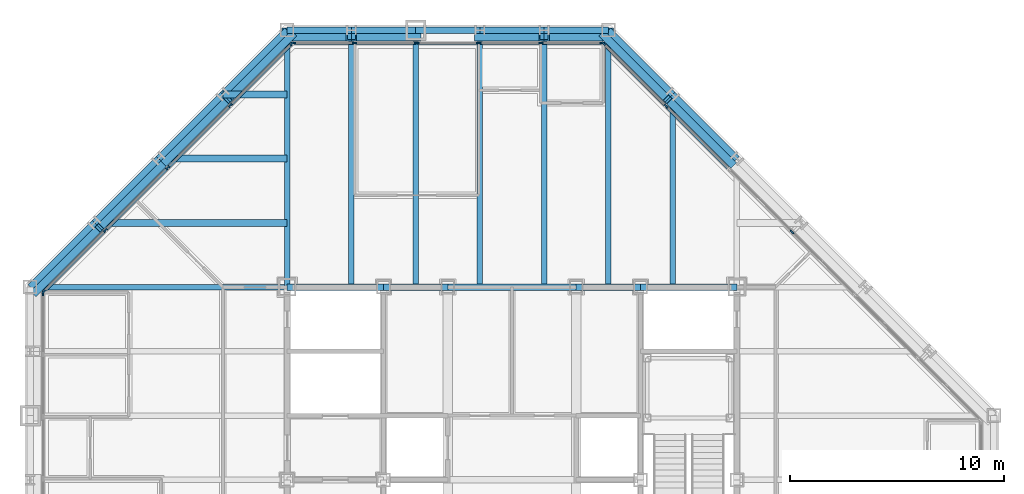
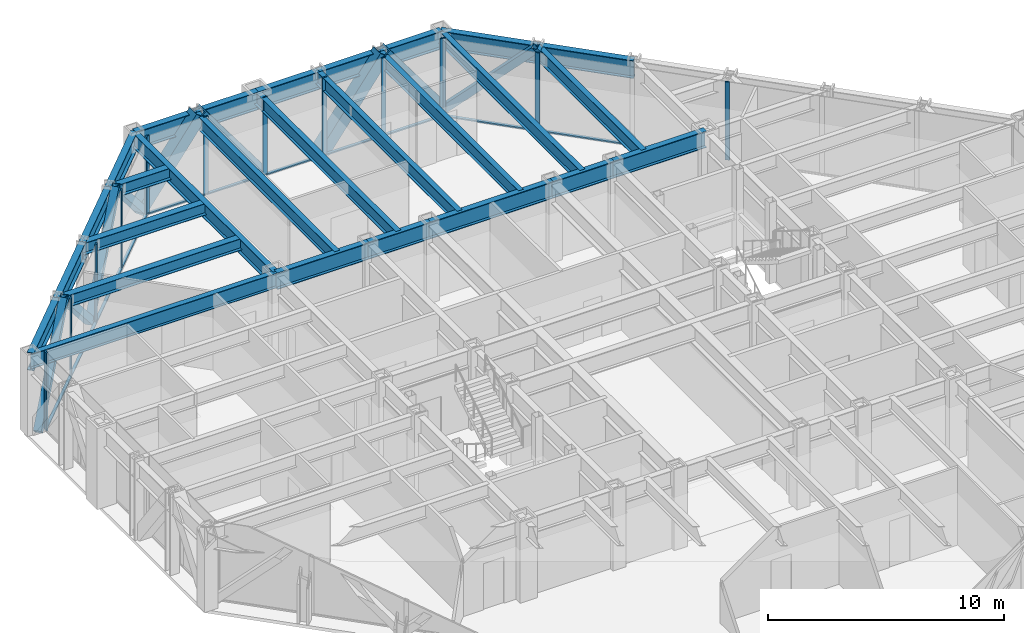
# One storey, part 8 of 16: 36 members, 27 beams, 4 elements without a shape of their own.
"""IFC4 building model written with IfcOpenShell, lengths in metres."""

from ifc_helpers import new_model, si_unit, direction, frame, origin, origin_2d, place, context, subcontext, project, spatial, rectangle, hollow_rectangle, i_section, extrude, material, layer, layer_set, material_profile, profile_set, type_object, element, aggregate, save


model = new_model("IFC4")

# Units and contexts
model_context = context("Model", 3, precision=1e-05, world=origin(), true_north=direction((0.0, 1.0)))
body_context = subcontext(model_context, "Body", "Model", "MODEL_VIEW")
ifc_project = project(units=[si_unit("LENGTHUNIT", "METRE"), si_unit("AREAUNIT", "SQUARE_METRE"), si_unit("VOLUMEUNIT", "CUBIC_METRE"), si_unit("PLANEANGLEUNIT", "RADIAN"), si_unit("MASSUNIT", "GRAM", prefix="KILO")], contexts=[model_context])

# Site, building, storey
site_placement = place(None, origin())
site = spatial("IfcSite", under=ifc_project, at=site_placement, CompositionType="ELEMENT")
building_placement = place(site_placement, origin())
building = spatial("IfcBuilding", under=site, at=building_placement, Name="Chuquiago Exchange Tower", CompositionType="ELEMENT")
storey_placement = place(building_placement, frame((0.0, 0.0, 209.699951171875)))
storey = spatial("IfcBuildingStorey", under=building, at=storey_placement, Name="L46", CompositionType="ELEMENT", Elevation=209.699951171875)

# Beams
ifc_material_1 = material(Name="Steel ASTM A992", Category="steel")
ifc_material_profile_1 = material_profile(ifc_material_1, i_section(OverallWidth=0.25390625, OverallDepth=0.683349609375, WebThickness=0.012451171875, FlangeThickness=0.018798828125, at=origin_2d()), Name="W27X94")
ifc_profile_set_1 = profile_set([ifc_material_profile_1], Name="Steel ASTM A992")
beam_type_1 = type_object("IfcBeamType", Name="B1 W27X94", PredefinedType="BEAM", material=ifc_profile_set_1)
for number, where, z_axis, x_axis, name in (
    (1, (15.0, 33.0, 3.698486328125), (0.0, 1.0, 0.0), (-1.0, 0.0, 0.0), "FB-L47-infill-15_33-15_45-0"),
    (2, (18.0, 33.0, 3.698486328125), (0.0, 1.0, 0.0), (-1.0, 0.0, 0.0), "FB-L47-infill-18_33-18_45-0"),
    (3, (21.0, 33.0, 3.698486328125), (0.0, 1.0, 0.0), (-1.0, 0.0, 0.0), "FB-L47-infill-21_33-21_45-0"),
    (4, (24.0, 33.0, 3.698486328125), (0.0, 1.0, 0.0), (-1.0, 0.0, 0.0), "FB-L47-infill-24_33-24_45-0"),
    (5, (27.0, 33.0, 3.698486328125), (0.0, 1.0, 0.0), (-1.0, 0.0, 0.0), "FB-L47-infill-27_33-27_45-0"),
):
    element("IfcBeam", number, at=place(storey_placement, frame(where, z_axis=z_axis, x_axis=x_axis)), inside=storey, type_object=beam_type_1, Name=name, PredefinedType="BEAM", context=body_context, shape_type="SweptSolid", body=[
        extrude(i_section(OverallWidth=0.25390625, OverallDepth=0.683349609375, WebThickness=0.012451171875, FlangeThickness=0.018798828125, at=origin_2d()), origin(), (0.0, 0.0, 1.0), 12.0),
    ])
beam_1_placement = place(storey_placement, frame((30.0, 33.0, 3.698486328125), z_axis=(0.0, 1.0, 0.0), x_axis=(-1.0, 0.0, 0.0)))
element("IfcBeam", 6, at=beam_1_placement, inside=storey, type_object=beam_type_1, Name="FB-L47-infill-30_33-30_42-0", PredefinedType="BEAM", context=body_context, shape_type="SweptSolid", body=[
    extrude(i_section(OverallWidth=0.25390625, OverallDepth=0.683349609375, WebThickness=0.012451171875, FlangeThickness=0.018798828125, at=origin_2d()), origin(), (0.0, 0.0, 1.0), 9.0),
])
ifc_material_2 = material(Name="Steel ASTM A992", Category="steel")
ifc_material_profile_2 = material_profile(ifc_material_2, i_section(OverallWidth=0.3251953125, OverallDepth=0.612060546875, WebThickness=0.0126953125, FlangeThickness=0.01904296875, at=origin_2d()), Name="W24X104")
ifc_profile_set_2 = profile_set([ifc_material_profile_2], Name="Steel ASTM A992")
beam_type_2 = type_object("IfcBeamType", Name="B2 W24X104", PredefinedType="BEAM", material=ifc_profile_set_2)
beam_2_placement = place(storey_placement, frame((12.0, 36.0, 3.73388671875), z_axis=(-1.0, 0.0, 0.0), x_axis=(0.0, -1.0, 0.0)))
element("IfcBeam", 7, at=beam_2_placement, inside=storey, type_object=beam_type_2, Name="FB-L47-corner-12_36-3_36-0", PredefinedType="BEAM", context=body_context, shape_type="SweptSolid", body=[
    extrude(i_section(OverallWidth=0.3251953125, OverallDepth=0.612060546875, WebThickness=0.0126953125, FlangeThickness=0.01904296875, at=origin_2d()), origin(), (0.0, 0.0, 1.0), 9.0),
])
beam_3_placement = place(storey_placement, frame((12.0, 39.0, 3.73388671875), z_axis=(-1.0, 0.0, 0.0), x_axis=(0.0, -1.0, 0.0)))
element("IfcBeam", 8, at=beam_3_placement, inside=storey, type_object=beam_type_2, Name="FB-L47-corner-12_39-6_39-0", PredefinedType="BEAM", context=body_context, shape_type="SweptSolid", body=[
    extrude(i_section(OverallWidth=0.3251953125, OverallDepth=0.612060546875, WebThickness=0.0126953125, FlangeThickness=0.01904296875, at=origin_2d()), origin(), (0.0, 0.0, 1.0), 6.0),
])
beam_4_placement = place(storey_placement, frame((12.0, 42.0, 3.73388671875), z_axis=(-1.0, 0.0, 0.0), x_axis=(0.0, -1.0, 0.0)))
element("IfcBeam", 9, at=beam_4_placement, inside=storey, type_object=beam_type_2, Name="FB-L47-corner-12_42-9_42-0", PredefinedType="BEAM", context=body_context, shape_type="SweptSolid", body=[
    extrude(i_section(OverallWidth=0.3251953125, OverallDepth=0.612060546875, WebThickness=0.0126953125, FlangeThickness=0.01904296875, at=origin_2d()), origin(), (0.0, 0.0, 1.0), 3.0),
])
ifc_material_3 = material(Name="Steel ASTM A992", Category="steel")
ifc_material_profile_3 = material_profile(ifc_material_3, i_section(OverallWidth=0.2919921875, OverallDepth=0.8583984375, WebThickness=0.01708984375, FlangeThickness=0.031005859375, at=origin_2d()), Name="W33X169")
ifc_profile_set_3 = profile_set([ifc_material_profile_3], Name="Steel ASTM A992")
beam_type_3 = type_object("IfcBeamType", Name="B3 W33X169", PredefinedType="BEAM", material=ifc_profile_set_3)
beam_5_placement = place(storey_placement, frame((12.0, 33.0, 3.61083984375), z_axis=(1.0, 0.0, 0.0), x_axis=(0.0, 1.0, 0.0)))
element("IfcBeam", 10, at=beam_5_placement, inside=storey, type_object=beam_type_3, Name="CB-L47-12_33-16.5_33", PredefinedType="BEAM", context=body_context, shape_type="SweptSolid", body=[
    extrude(i_section(OverallWidth=0.2919921875, OverallDepth=0.8583984375, WebThickness=0.01708984375, FlangeThickness=0.031005859375, at=origin_2d()), origin(), (0.0, 0.0, 1.0), 4.5),
])
beam_6_placement = place(storey_placement, frame((16.5, 33.0, 3.61083984375), z_axis=(1.0, 0.0, 0.0), x_axis=(0.0, 1.0, 0.0)))
element("IfcBeam", 11, at=beam_6_placement, inside=storey, type_object=beam_type_3, Name="CB-L47-16.5_33-19.5_33", PredefinedType="BEAM", context=body_context, shape_type="SweptSolid", body=[
    extrude(i_section(OverallWidth=0.2919921875, OverallDepth=0.8583984375, WebThickness=0.01708984375, FlangeThickness=0.031005859375, at=origin_2d()), origin(), (0.0, 0.0, 1.0), 3.0),
])
beam_7_placement = place(storey_placement, frame((19.5, 33.0, 3.61083984375), z_axis=(1.0, 0.0, 0.0), x_axis=(0.0, 1.0, 0.0)))
element("IfcBeam", 12, at=beam_7_placement, inside=storey, type_object=beam_type_3, Name="CB-L47-19.5_33-25.5_33", PredefinedType="BEAM", context=body_context, shape_type="SweptSolid", body=[
    extrude(i_section(OverallWidth=0.2919921875, OverallDepth=0.8583984375, WebThickness=0.01708984375, FlangeThickness=0.031005859375, at=origin_2d()), origin(), (0.0, 0.0, 1.0), 6.0),
])
beam_8_placement = place(storey_placement, frame((25.5, 33.0, 3.61083984375), z_axis=(1.0, 0.0, 0.0), x_axis=(0.0, 1.0, 0.0)))
element("IfcBeam", 13, at=beam_8_placement, inside=storey, type_object=beam_type_3, Name="CB-L47-25.5_33-28.5_33", PredefinedType="BEAM", context=body_context, shape_type="SweptSolid", body=[
    extrude(i_section(OverallWidth=0.2919921875, OverallDepth=0.8583984375, WebThickness=0.01708984375, FlangeThickness=0.031005859375, at=origin_2d()), origin(), (0.0, 0.0, 1.0), 3.0),
])
beam_9_placement = place(storey_placement, frame((28.5, 33.0, 3.61083984375), z_axis=(1.0, 0.0, 0.0), x_axis=(0.0, 1.0, 0.0)))
element("IfcBeam", 14, at=beam_9_placement, inside=storey, type_object=beam_type_3, Name="CB-L47-28.5_33-33_33", PredefinedType="BEAM", context=body_context, shape_type="SweptSolid", body=[
    extrude(i_section(OverallWidth=0.2919921875, OverallDepth=0.8583984375, WebThickness=0.01708984375, FlangeThickness=0.031005859375, at=origin_2d()), origin(), (0.0, 0.0, 1.0), 4.5),
])

# Curtain wall, members
ifc_material_4 = material(Name="Aluminium curtain wall system", Category="aluminium")
ifc_layer_1 = layer(ifc_material_4, 0.22509765625)
ifc_layer_set_1 = layer_set([ifc_layer_1], Name="CW2 office curtain wall")
curtain_wall_type_1 = type_object("IfcCurtainWallType", Name="CW2 office curtain wall", PredefinedType="NOTDEFINED", material=ifc_layer_set_1)
curtain_wall_1_placement = place(storey_placement, origin())
curtain_wall_1 = element("IfcCurtainWall", 15, at=curtain_wall_1_placement, inside=storey, type_object=curtain_wall_type_1, Name="CW2 curtain wall L46", PredefinedType="NOTDEFINED")
ifc_material_5 = material(Name="Aluminium mullion, pale anodised", Category="aluminium")
ifc_material_profile_4 = material_profile(ifc_material_5, rectangle(XDim=0.06494140625, YDim=0.22509765625, at=origin_2d()), Name="AL 65x225")
ifc_profile_set_4 = profile_set([ifc_material_profile_4], Name="Aluminium mullion, pale anodised")
member_type_1 = type_object("IfcMemberType", Name="CW2-M mullion 65x225", PredefinedType="MULLION", material=ifc_profile_set_4)
member_1_placement = place(storey_placement, frame((26.718994140625, 44.39990234375, 0.0), z_axis=(0.0, 0.0, 1.0), x_axis=(0.0, -1.0, 0.0)))
member_1 = element("IfcMember", 16, at=member_1_placement, type_object=member_type_1, Name="CW2 mullion 1", PredefinedType="MULLION", context=body_context, shape_type="SweptSolid", body=[
    extrude(rectangle(XDim=0.06494140625, YDim=0.22509765625, at=origin_2d()), origin(), (0.0, 0.0, 1.0), 4.0400390625),
])
member_2_placement = place(storey_placement, frame((23.850830078125, 44.39990234375, 0.0), z_axis=(0.0, 0.0, 1.0), x_axis=(0.0, -1.0, 0.0)))
member_2 = element("IfcMember", 17, at=member_2_placement, type_object=member_type_1, Name="CW2 mullion 2", PredefinedType="MULLION", context=body_context, shape_type="SweptSolid", body=[
    extrude(rectangle(XDim=0.06494140625, YDim=0.22509765625, at=origin_2d()), origin(), (0.0, 0.0, 1.0), 4.0400390625),
])
member_3_placement = place(storey_placement, frame((20.9501953125, 44.39990234375, 0.0), z_axis=(0.0, 0.0, 1.0), x_axis=(0.0, -1.0, 0.0)))
member_3 = element("IfcMember", 18, at=member_3_placement, type_object=member_type_1, Name="CW2 mullion 3", PredefinedType="MULLION", context=body_context, shape_type="SweptSolid", body=[
    extrude(rectangle(XDim=0.06494140625, YDim=0.22509765625, at=origin_2d()), origin(), (0.0, 0.0, 1.0), 4.0400390625),
])
member_4_placement = place(storey_placement, frame((18.0498046875, 44.39990234375, 0.0), z_axis=(0.0, 0.0, 1.0), x_axis=(0.0, -1.0, 0.0)))
member_4 = element("IfcMember", 19, at=member_4_placement, type_object=member_type_1, Name="CW2 mullion 4", PredefinedType="MULLION", context=body_context, shape_type="SweptSolid", body=[
    extrude(rectangle(XDim=0.06494140625, YDim=0.22509765625, at=origin_2d()), origin(), (0.0, 0.0, 1.0), 4.0400390625),
])
member_5_placement = place(storey_placement, frame((15.149169921875, 44.39990234375, 0.0), z_axis=(0.0, 0.0, 1.0), x_axis=(0.0, -1.0, 0.0)))
member_5 = element("IfcMember", 20, at=member_5_placement, type_object=member_type_1, Name="CW2 mullion 5", PredefinedType="MULLION", context=body_context, shape_type="SweptSolid", body=[
    extrude(rectangle(XDim=0.06494140625, YDim=0.22509765625, at=origin_2d()), origin(), (0.0, 0.0, 1.0), 4.0400390625),
])
member_6_placement = place(storey_placement, frame((12.281005859375, 44.39990234375, 0.0), z_axis=(0.0, 0.0, 1.0), x_axis=(0.0, -1.0, 0.0)))
member_6 = element("IfcMember", 21, at=member_6_placement, type_object=member_type_1, Name="CW2 mullion 6", PredefinedType="MULLION", context=body_context, shape_type="SweptSolid", body=[
    extrude(rectangle(XDim=0.06494140625, YDim=0.22509765625, at=origin_2d()), origin(), (0.0, 0.0, 1.0), 4.0400390625),
])

# Curtain wall, member
curtain_wall_2_placement = place(storey_placement, origin())
curtain_wall_2 = element("IfcCurtainWall", 22, at=curtain_wall_2_placement, inside=storey, type_object=curtain_wall_type_1, Name="CW2 curtain wall L46", PredefinedType="NOTDEFINED")
member_7_placement = place(storey_placement, frame((0.60009765625, 32.718994140625, 0.0), z_axis=(0.0, 0.0, 1.0), x_axis=(1.0, 0.0, 0.0)))
member_7 = element("IfcMember", 23, at=member_7_placement, type_object=member_type_1, Name="CW2 mullion 1", PredefinedType="MULLION", context=body_context, shape_type="SweptSolid", body=[
    extrude(rectangle(XDim=0.06494140625, YDim=0.22509765625, at=origin_2d()), origin(), (0.0, 0.0, 1.0), 4.0400390625),
])
aggregate(curtain_wall_2, [member_7])

# Member
ifc_material_6 = material(Name="Aluminium transom, pale anodised", Category="aluminium")
ifc_material_profile_5 = material_profile(ifc_material_6, rectangle(XDim=0.139892578125, YDim=0.06494140625, at=origin_2d()), Name="AL 140x65")
ifc_profile_set_5 = profile_set([ifc_material_profile_5], Name="Aluminium transom, pale anodised")
member_type_2 = type_object("IfcMemberType", Name="CW2-T transom 65x140", PredefinedType="MULLION", material=ifc_profile_set_5)
member_8_placement = place(storey_placement, frame((26.6865234375, 44.39990234375, 0.032470703125), z_axis=(-1.0, 0.0, 0.0), x_axis=(0.0, -1.0, 0.0)))
member_8 = element("IfcMember", 24, at=member_8_placement, type_object=member_type_2, Name="CW2 transom 1.1", PredefinedType="MULLION", context=body_context, shape_type="SweptSolid", body=[
    extrude(rectangle(XDim=0.139892578125, YDim=0.06494140625, at=origin_2d()), origin(), (0.0, 0.0, 1.0), 2.80322265625),
])

member_9_placement = place(storey_placement, frame((23.818359375, 44.39990234375, 0.032470703125), z_axis=(-1.0, 0.0, 0.0), x_axis=(0.0, -1.0, 0.0)))
member_9 = element("IfcMember", 25, at=member_9_placement, type_object=member_type_2, Name="CW2 transom 2.1", PredefinedType="MULLION", context=body_context, shape_type="SweptSolid", body=[
    extrude(rectangle(XDim=0.139892578125, YDim=0.06494140625, at=origin_2d()), origin(), (0.0, 0.0, 1.0), 2.83544921875),
])

member_10_placement = place(storey_placement, frame((20.917724609375, 44.39990234375, 0.032470703125), z_axis=(-1.0, 0.0, 0.0), x_axis=(0.0, -1.0, 0.0)))
member_10 = element("IfcMember", 26, at=member_10_placement, type_object=member_type_2, Name="CW2 transom 3.1", PredefinedType="MULLION", context=body_context, shape_type="SweptSolid", body=[
    extrude(rectangle(XDim=0.139892578125, YDim=0.06494140625, at=origin_2d()), origin(), (0.0, 0.0, 1.0), 2.83544921875),
])

member_11_placement = place(storey_placement, frame((18.01708984375, 44.39990234375, 0.032470703125), z_axis=(-1.0, 0.0, 0.0), x_axis=(0.0, -1.0, 0.0)))
member_11 = element("IfcMember", 27, at=member_11_placement, type_object=member_type_2, Name="CW2 transom 4.1", PredefinedType="MULLION", context=body_context, shape_type="SweptSolid", body=[
    extrude(rectangle(XDim=0.139892578125, YDim=0.06494140625, at=origin_2d()), origin(), (0.0, 0.0, 1.0), 2.83544921875),
])

member_12_placement = place(storey_placement, frame((15.11669921875, 44.39990234375, 0.032470703125), z_axis=(-1.0, 0.0, 0.0), x_axis=(0.0, -1.0, 0.0)))
member_12 = element("IfcMember", 28, at=member_12_placement, type_object=member_type_2, Name="CW2 transom 5.1", PredefinedType="MULLION", context=body_context, shape_type="SweptSolid", body=[
    extrude(rectangle(XDim=0.139892578125, YDim=0.06494140625, at=origin_2d()), origin(), (0.0, 0.0, 1.0), 2.80322265625),
])

aggregate(curtain_wall_1, [member_1, member_2, member_3, member_4, member_5, member_6, member_8, member_9, member_10, member_11, member_12])

# Curtain wall, members
ifc_material_7 = material(Name="Aluminium curtain wall system", Category="aluminium")
ifc_layer_2 = layer(ifc_material_7, 0.199951171875)
ifc_layer_set_2 = layer_set([ifc_layer_2], Name="CW3 facet curtain wall")
curtain_wall_type_2 = type_object("IfcCurtainWallType", Name="CW3 facet curtain wall", PredefinedType="NOTDEFINED", material=ifc_layer_set_2)
curtain_wall_3_placement = place(storey_placement, origin())
curtain_wall_3 = element("IfcCurtainWall", 29, at=curtain_wall_3_placement, inside=storey, type_object=curtain_wall_type_2, Name="CW3 curtain wall L46", PredefinedType="NOTDEFINED")
ifc_material_8 = material(Name="Aluminium mullion, pale anodised", Category="aluminium")
ifc_material_profile_6 = material_profile(ifc_material_8, rectangle(XDim=0.06494140625, YDim=0.199951171875, at=origin_2d()), Name="AL 65x200")
ifc_profile_set_6 = profile_set([ifc_material_profile_6], Name="Aluminium mullion, pale anodised")
member_type_3 = type_object("IfcMemberType", Name="CW3-M mullion 65x200", PredefinedType="MULLION", material=ifc_profile_set_6)
member_13_placement = place(storey_placement, frame((35.57568359375, 35.57568359375, 0.0), z_axis=(0.0, 0.0, 1.0), x_axis=(-0.707106781187, -0.707106781187, 0.0)))
member_13 = element("IfcMember", 30, at=member_13_placement, type_object=member_type_3, Name="CW3 mullion 4", PredefinedType="MULLION", context=body_context, shape_type="SweptSolid", body=[
    extrude(rectangle(XDim=0.06494140625, YDim=0.199951171875, at=origin_2d()), origin(), (0.0, 0.0, 1.0), 4.0400390625),
])
member_14_placement = place(storey_placement, frame((29.69287109375, 41.45849609375, 0.0), z_axis=(0.0, 0.0, 1.0), x_axis=(-0.707106781187, -0.707106781187, 0.0)))
member_14 = element("IfcMember", 31, at=member_14_placement, type_object=member_type_3, Name="CW3 mullion 6", PredefinedType="MULLION", context=body_context, shape_type="SweptSolid", body=[
    extrude(rectangle(XDim=0.06494140625, YDim=0.199951171875, at=origin_2d()), origin(), (0.0, 0.0, 1.0), 4.0400390625),
])
member_15_placement = place(storey_placement, frame((26.7744140625, 44.376953125, 0.0), z_axis=(0.0, 0.0, 1.0), x_axis=(-0.707106781187, -0.707106781187, 0.0)))
member_15 = element("IfcMember", 32, at=member_15_placement, type_object=member_type_3, Name="CW3 mullion 7", PredefinedType="MULLION", context=body_context, shape_type="SweptSolid", body=[
    extrude(rectangle(XDim=0.06494140625, YDim=0.199951171875, at=origin_2d()), origin(), (0.0, 0.0, 1.0), 4.0400390625),
])

curtain_wall_4_placement = place(storey_placement, origin())
curtain_wall_4 = element("IfcCurtainWall", 33, at=curtain_wall_4_placement, inside=storey, type_object=curtain_wall_type_2, Name="CW3 curtain wall L46", PredefinedType="NOTDEFINED")
member_16_placement = place(storey_placement, frame((12.2255859375, 44.376953125, 0.0), z_axis=(0.0, 0.0, 1.0), x_axis=(0.707106781187, -0.707106781187, 0.0)))
member_16 = element("IfcMember", 34, at=member_16_placement, type_object=member_type_3, Name="CW3 mullion 1", PredefinedType="MULLION", context=body_context, shape_type="SweptSolid", body=[
    extrude(rectangle(XDim=0.06494140625, YDim=0.199951171875, at=origin_2d()), origin(), (0.0, 0.0, 1.0), 4.0400390625),
])
member_17_placement = place(storey_placement, frame((9.33642578125, 41.48779296875, 0.0), z_axis=(0.0, 0.0, 1.0), x_axis=(0.707106781187, -0.707106781187, 0.0)))
member_17 = element("IfcMember", 35, at=member_17_placement, type_object=member_type_3, Name="CW3 mullion 2", PredefinedType="MULLION", context=body_context, shape_type="SweptSolid", body=[
    extrude(rectangle(XDim=0.06494140625, YDim=0.199951171875, at=origin_2d()), origin(), (0.0, 0.0, 1.0), 4.0400390625),
])
member_18_placement = place(storey_placement, frame((6.42431640625, 38.57568359375, 0.0), z_axis=(0.0, 0.0, 1.0), x_axis=(0.707106781187, -0.707106781187, 0.0)))
member_18 = element("IfcMember", 36, at=member_18_placement, type_object=member_type_3, Name="CW3 mullion 3", PredefinedType="MULLION", context=body_context, shape_type="SweptSolid", body=[
    extrude(rectangle(XDim=0.06494140625, YDim=0.199951171875, at=origin_2d()), origin(), (0.0, 0.0, 1.0), 4.0400390625),
])
member_19_placement = place(storey_placement, frame((3.51220703125, 35.66357421875, 0.0), z_axis=(0.0, 0.0, 1.0), x_axis=(0.707106781187, -0.707106781187, 0.0)))
member_19 = element("IfcMember", 37, at=member_19_placement, type_object=member_type_3, Name="CW3 mullion 4", PredefinedType="MULLION", context=body_context, shape_type="SweptSolid", body=[
    extrude(rectangle(XDim=0.06494140625, YDim=0.199951171875, at=origin_2d()), origin(), (0.0, 0.0, 1.0), 4.0400390625),
])
member_20_placement = place(storey_placement, frame((0.623046875, 32.7744140625, 0.0), z_axis=(0.0, 0.0, 1.0), x_axis=(0.707106781187, -0.707106781187, 0.0)))
member_20 = element("IfcMember", 38, at=member_20_placement, type_object=member_type_3, Name="CW3 mullion 5", PredefinedType="MULLION", context=body_context, shape_type="SweptSolid", body=[
    extrude(rectangle(XDim=0.06494140625, YDim=0.199951171875, at=origin_2d()), origin(), (0.0, 0.0, 1.0), 4.0400390625),
])

# Member
ifc_material_9 = material(Name="Aluminium transom, pale anodised", Category="aluminium")
ifc_material_profile_7 = material_profile(ifc_material_9, rectangle(XDim=0.139892578125, YDim=0.06494140625, at=origin_2d()), Name="AL 140x65")
ifc_profile_set_7 = profile_set([ifc_material_profile_7], Name="Aluminium transom, pale anodised")
member_type_4 = type_object("IfcMemberType", Name="CW3-T transom 65x140", PredefinedType="MULLION", material=ifc_profile_set_7)
member_21_placement = place(storey_placement, frame((32.611328125, 38.5400390625, 0.032470703125), z_axis=(-0.707106781187, 0.707106781187, 0.0), x_axis=(-0.707106781187, -0.707106781187, 0.0)))
member_21 = element("IfcMember", 39, at=member_21_placement, type_object=member_type_4, Name="CW3 transom 5.1", PredefinedType="MULLION", context=body_context, shape_type="SweptSolid", body=[
    extrude(rectangle(XDim=0.139892578125, YDim=0.06494140625, at=origin_2d()), origin(), (0.0, 0.0, 1.0), 4.094970703125),
])

member_22_placement = place(storey_placement, frame((29.669921875, 41.4814453125, 0.032470703125), z_axis=(-0.707106781187, 0.707106781187, 0.0), x_axis=(-0.707106781187, -0.707106781187, 0.0)))
member_22 = element("IfcMember", 40, at=member_22_placement, type_object=member_type_4, Name="CW3 transom 6.1", PredefinedType="MULLION", context=body_context, shape_type="SweptSolid", body=[
    extrude(rectangle(XDim=0.139892578125, YDim=0.06494140625, at=origin_2d()), origin(), (0.0, 0.0, 1.0), 4.0625),
])

aggregate(curtain_wall_3, [member_13, member_14, member_15, member_21, member_22])

member_23_placement = place(storey_placement, frame((12.20263671875, 44.35400390625, 0.032470703125), z_axis=(-0.707106781187, -0.707106781187, 0.0), x_axis=(0.707106781187, -0.707106781187, 0.0)))
member_23 = element("IfcMember", 41, at=member_23_placement, type_object=member_type_4, Name="CW3 transom 1.1", PredefinedType="MULLION", context=body_context, shape_type="SweptSolid", body=[
    extrude(rectangle(XDim=0.139892578125, YDim=0.06494140625, at=origin_2d()), origin(), (0.0, 0.0, 1.0), 4.02099609375),
])

member_24_placement = place(storey_placement, frame((9.3134765625, 41.46484375, 0.032470703125), z_axis=(-0.707106781187, -0.707106781187, 0.0), x_axis=(0.707106781187, -0.707106781187, 0.0)))
member_24 = element("IfcMember", 42, at=member_24_placement, type_object=member_type_4, Name="CW3 transom 2.1", PredefinedType="MULLION", context=body_context, shape_type="SweptSolid", body=[
    extrude(rectangle(XDim=0.139892578125, YDim=0.06494140625, at=origin_2d()), origin(), (0.0, 0.0, 1.0), 4.053466796875),
])

member_25_placement = place(storey_placement, frame((6.4013671875, 38.552734375, 0.032470703125), z_axis=(-0.707106781187, -0.707106781187, 0.0), x_axis=(0.707106781187, -0.707106781187, 0.0)))
member_25 = element("IfcMember", 43, at=member_25_placement, type_object=member_type_4, Name="CW3 transom 3.1", PredefinedType="MULLION", context=body_context, shape_type="SweptSolid", body=[
    extrude(rectangle(XDim=0.139892578125, YDim=0.06494140625, at=origin_2d()), origin(), (0.0, 0.0, 1.0), 4.053466796875),
])

member_26_placement = place(storey_placement, frame((3.4892578125, 35.640625, 0.032470703125), z_axis=(-0.707106781187, -0.707106781187, 0.0), x_axis=(0.707106781187, -0.707106781187, 0.0)))
member_26 = element("IfcMember", 44, at=member_26_placement, type_object=member_type_4, Name="CW3 transom 4.1", PredefinedType="MULLION", context=body_context, shape_type="SweptSolid", body=[
    extrude(rectangle(XDim=0.139892578125, YDim=0.06494140625, at=origin_2d()), origin(), (0.0, 0.0, 1.0), 4.02099609375),
])

aggregate(curtain_wall_4, [member_16, member_17, member_18, member_19, member_20, member_23, member_24, member_25, member_26])

# Beams
ifc_material_10 = material(Name="Steel ASTM A992", Category="steel")
ifc_material_profile_8 = material_profile(ifc_material_10, i_section(OverallWidth=0.2666015625, OverallDepth=0.76953125, WebThickness=0.015625, FlangeThickness=0.025390625, at=origin_2d()), Name="W30X132")
ifc_profile_set_8 = profile_set([ifc_material_profile_8], Name="Steel ASTM A992")
beam_type_4 = type_object("IfcBeamType", Name="G1 W30X132", PredefinedType="BEAM", material=ifc_profile_set_8)
for number, where, z_axis, x_axis, name in (
    (45, (12.0, 33.0, 3.6552734375), (0.0, 1.0, 0.0), (-1.0, 0.0, 0.0), "FB-L47-girder-12_33-12_45-0"),
    (46, (12.0, 33.0, 3.6552734375), (-1.0, 0.0, 0.0), (0.0, -1.0, 0.0), "FB-L47-girder-12_33--0_33-0"),
):
    element("IfcBeam", number, at=place(storey_placement, frame(where, z_axis=z_axis, x_axis=x_axis)), inside=storey, type_object=beam_type_4, Name=name, PredefinedType="BEAM", context=body_context, shape_type="SweptSolid", body=[
        extrude(i_section(OverallWidth=0.2666015625, OverallDepth=0.76953125, WebThickness=0.015625, FlangeThickness=0.025390625, at=origin_2d()), origin(), (0.0, 0.0, 1.0), 12.0),
    ])

# Members
ifc_material_11 = material(Name="Steel ASTM A500 Grade C", Category="steel")
ifc_material_profile_9 = material_profile(ifc_material_11, hollow_rectangle(XDim=0.355712890625, YDim=0.355712890625, WallThickness=0.0146484375, at=origin_2d()), Name="HSS14X14X5/8")
ifc_profile_set_9 = profile_set([ifc_material_profile_9], Name="Steel ASTM A500 Grade C")
member_type_5 = type_object("IfcMemberType", Name="LB2 HSS14X14X5/8", PredefinedType="BRACE", material=ifc_profile_set_9)
for number, where, z_axis, x_axis, name in (
    (47, (32.7685546875, 38.7685546875, 0.0), (-0.512077265487, 0.512077265487, 0.689604051861), (-0.707106781187, -0.707106781187, 0.0), "LB-L46-33_39-30_42"),
    (48, (26.7685546875, 44.7685546875, 0.0), (0.512077265487, -0.512077265487, 0.689604051861), (0.707106781187, 0.707106781187, 0.0), "LB-L46-30_42-27_45"),
    (49, (12.2314453125, 44.7685546875, 0.0), (-0.512077265487, -0.512077265487, 0.689604051861), (0.707106781187, -0.707106781187, 0.0), "LB-L46-12_45-9_42"),
    (50, (6.2314453125, 38.7685546875, 0.0), (0.512077265487, 0.512077265487, 0.689604051861), (-0.707106781187, 0.707106781187, 0.0), "LB-L46-9_42-6_39"),
    (51, (6.2314453125, 38.7685546875, 0.0), (-0.512077265487, -0.512077265487, 0.689604051861), (0.707106781187, -0.707106781187, 0.0), "LB-L46-6_39-3_36"),
    (52, (0.2314453125, 32.7685546875, 0.0), (0.512077265487, 0.512077265487, 0.689604051861), (-0.707106781187, 0.707106781187, 0.0), "LB-L46-3_36-0_33"),
):
    element("IfcMember", number, at=place(storey_placement, frame(where, z_axis=z_axis, x_axis=x_axis)), inside=storey, type_object=member_type_5, Name=name, PredefinedType="BRACE", context=body_context, shape_type="SweptSolid", body=[
        extrude(hollow_rectangle(XDim=0.355712890625, YDim=0.355712890625, WallThickness=0.0146484375, at=origin_2d()), origin(), (0.0, 0.0, 1.0), 5.8583984375),
    ])
ifc_material_12 = material(Name="Steel ASTM A572 Grade 50", Category="steel")
ifc_material_profile_10 = material_profile(ifc_material_12, hollow_rectangle(XDim=0.60009765625, YDim=0.60009765625, WallThickness=0.06005859375, at=origin_2d()), Name="BOX600X600X60")
ifc_profile_set_10 = profile_set([ifc_material_profile_10], Name="Steel ASTM A572 Grade 50")
member_type_6 = type_object("IfcMemberType", Name="MB3 BOX600X600X60", PredefinedType="BRACE", material=ifc_profile_set_10)
for number, where, z_axis, x_axis, name in (
    (53, (27.0, 44.794921875, 0.0), (-0.596173923302, 0.0, 0.802855312728), (0.0, -1.0, 0.0), "Mega diagonal L46 N face"),
    (54, (21.0, 44.794921875, 0.0), (0.596173923302, 0.0, 0.802855312728), (0.0, 1.0, 0.0), "Mega diagonal L46 N face"),
    (55, (18.0, 44.794921875, 0.0), (-0.596173923302, 0.0, 0.802855312728), (0.0, -1.0, 0.0), "Mega diagonal L46 N face"),
    (56, (12.0, 44.794921875, 0.0), (0.596173923302, 0.0, 0.802855312728), (0.0, 1.0, 0.0), "Mega diagonal L46 N face"),
):
    element("IfcMember", number, at=place(storey_placement, frame(where, z_axis=z_axis, x_axis=x_axis)), inside=storey, type_object=member_type_6, Name=name, PredefinedType="BRACE", context=body_context, shape_type="SweptSolid", body=[
        extrude(hollow_rectangle(XDim=0.60009765625, YDim=0.60009765625, WallThickness=0.06005859375, at=origin_2d()), origin(), (0.0, 0.0, 1.0), 5.031982421875),
    ])

# Beams
ifc_material_13 = material(Name="Steel ASTM A992", Category="steel")
ifc_material_profile_11 = material_profile(ifc_material_13, i_section(OverallWidth=0.307373046875, OverallDepth=0.927001953125, WebThickness=0.01953125, FlangeThickness=0.031982421875, at=origin_2d()), Name="W36X194")
ifc_profile_set_11 = profile_set([ifc_material_profile_11], Name="Steel ASTM A992")
beam_type_5 = type_object("IfcBeamType", Name="SP3 W36X194", PredefinedType="SPANDREL", material=ifc_profile_set_11)
for number, where, z_axis, x_axis, name in (
    (57, (33.0, 39.0, 3.57666015625), (-0.707106781187, 0.707106781187, 0.0), (-0.707106781187, -0.707106781187, 0.0), "SPB-L47-33_39-30_42"),
    (58, (30.0, 42.0, 3.57666015625), (-0.707106781187, 0.707106781187, 0.0), (-0.707106781187, -0.707106781187, 0.0), "SPB-L47-30_42-27_45"),
):
    element("IfcBeam", number, at=place(storey_placement, frame(where, z_axis=z_axis, x_axis=x_axis)), inside=storey, type_object=beam_type_5, Name=name, PredefinedType="SPANDREL", context=body_context, shape_type="SweptSolid", body=[
        extrude(i_section(OverallWidth=0.307373046875, OverallDepth=0.927001953125, WebThickness=0.01953125, FlangeThickness=0.031982421875, at=origin_2d()), origin(), (0.0, 0.0, 1.0), 4.24267578125),
    ])
for number, where, z_axis, x_axis, name in (
    (59, (27.0, 45.0, 3.57666015625), (-1.0, 0.0, 0.0), (0.0, -1.0, 0.0), "SPB-L47-27_45-24_45"),
    (60, (24.0, 45.0, 3.57666015625), (-1.0, 0.0, 0.0), (0.0, -1.0, 0.0), "SPB-L47-24_45-21_45"),
    (61, (21.0, 45.0, 3.57666015625), (-1.0, 0.0, 0.0), (0.0, -1.0, 0.0), "SPB-L47-21_45-18_45"),
    (62, (18.0, 45.0, 3.57666015625), (-1.0, 0.0, 0.0), (0.0, -1.0, 0.0), "SPB-L47-18_45-15_45"),
    (63, (15.0, 45.0, 3.57666015625), (-1.0, 0.0, 0.0), (0.0, -1.0, 0.0), "SPB-L47-15_45-12_45"),
):
    element("IfcBeam", number, at=place(storey_placement, frame(where, z_axis=z_axis, x_axis=x_axis)), inside=storey, type_object=beam_type_5, Name=name, PredefinedType="SPANDREL", context=body_context, shape_type="SweptSolid", body=[
        extrude(i_section(OverallWidth=0.307373046875, OverallDepth=0.927001953125, WebThickness=0.01953125, FlangeThickness=0.031982421875, at=origin_2d()), origin(), (0.0, 0.0, 1.0), 3.0),
    ])
for number, where, z_axis, x_axis, name in (
    (64, (12.0, 45.0, 3.57666015625), (-0.707106781187, -0.707106781187, 0.0), (0.707106781187, -0.707106781187, 0.0), "SPB-L47-12_45-9_42"),
    (65, (9.0, 42.0, 3.57666015625), (-0.707106781187, -0.707106781187, 0.0), (0.707106781187, -0.707106781187, 0.0), "SPB-L47-9_42-6_39"),
    (66, (6.0, 39.0, 3.57666015625), (-0.707106781187, -0.707106781187, 0.0), (0.707106781187, -0.707106781187, 0.0), "SPB-L47-6_39-3_36"),
    (67, (3.0, 36.0, 3.57666015625), (-0.707106781187, -0.707106781187, 0.0), (0.707106781187, -0.707106781187, 0.0), "SPB-L47-3_36-0_33"),
):
    element("IfcBeam", number, at=place(storey_placement, frame(where, z_axis=z_axis, x_axis=x_axis)), inside=storey, type_object=beam_type_5, Name=name, PredefinedType="SPANDREL", context=body_context, shape_type="SweptSolid", body=[
        extrude(i_section(OverallWidth=0.307373046875, OverallDepth=0.927001953125, WebThickness=0.01953125, FlangeThickness=0.031982421875, at=origin_2d()), origin(), (0.0, 0.0, 1.0), 4.24267578125),
    ])

save(model, "model.ifc")
